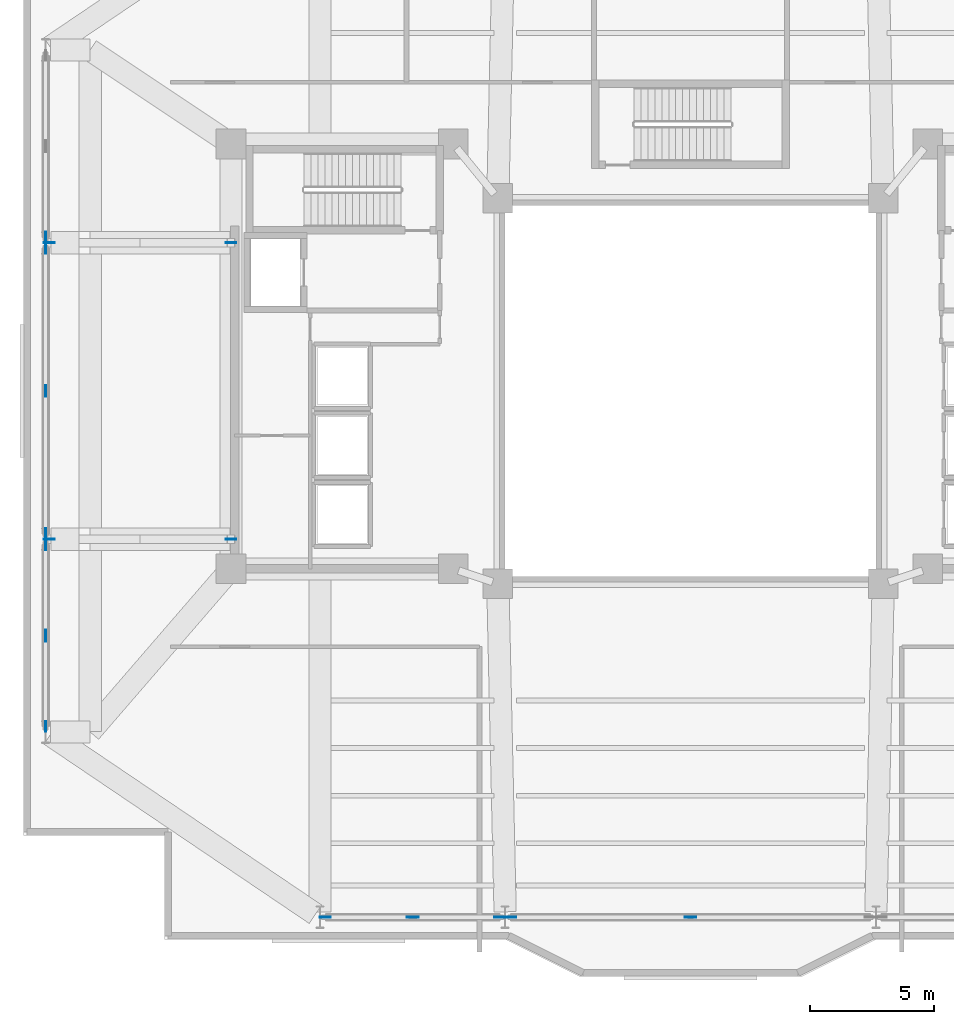
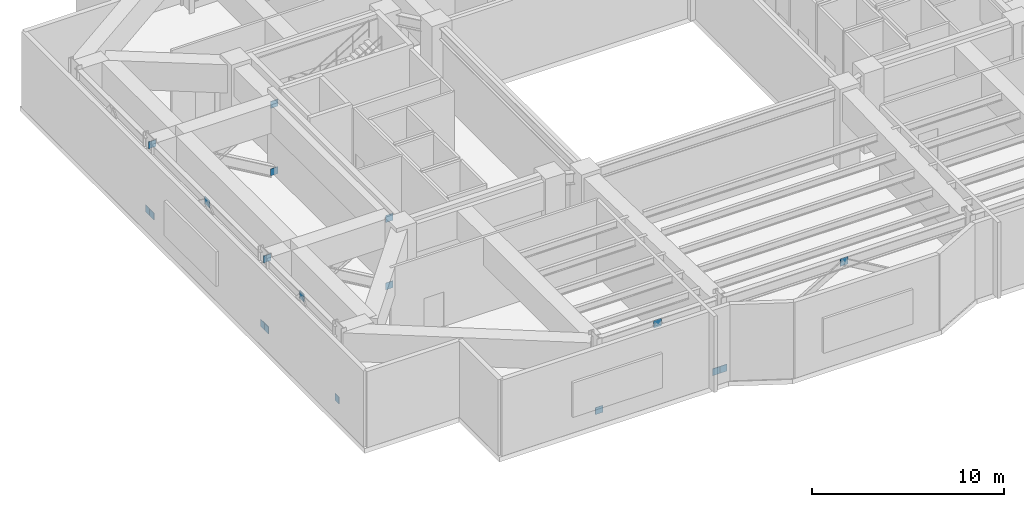
# One storey, part 4 of 13: 18 plates.
"""IFC4 building model written with IfcOpenShell, lengths in metres."""

import ifcopenshell
import ifcopenshell.guid

model = None  # the IFC model being written
_history = None  # IfcOwnerHistory: only IFC2X3 demands one
_inside = {}  # id of a spatial element -> (the spatial element, [elements in it])
_under = {}  # id of a project, library or spatial element -> (it, [spatial elements below it])
_declared = {}  # id of a project -> (the project, [libraries it declares])
_typed = {}  # id of a type object -> (the type object, [elements of that type])
_made_of = {}  # id of a material, layer set ... -> (it, [elements and type objects made of it])


def new_model(schema):
    """Start an empty IFC model of exactly this schema.

    Asked for "IFC4X3", IfcOpenShell would pick the latest addendum, in which some entities
    have other attributes; the version numbers below select the first issue.
    IFC2X3 requires an IfcOwnerHistory on every rooted entity: one is made here for all.
    """
    global model, _history
    if schema == "IFC4X3":
        model = ifcopenshell.file(schema_version=(4, 3, 0, 0))
    else:
        model = ifcopenshell.file(schema=schema)
    _inside.clear()
    _under.clear()
    _declared.clear()
    _typed.clear()
    _made_of.clear()
    _history = None
    if model.schema == "IFC2X3":
        org = make("IfcOrganization", Name="unknown")
        user = make(
            "IfcPersonAndOrganization",
            ThePerson=make("IfcPerson", FamilyName="unknown"),
            TheOrganization=org,
        )
        app = make(
            "IfcApplication",
            ApplicationDeveloper=org,
            Version="unknown",
            ApplicationFullName="unknown",
            ApplicationIdentifier="unknown",
        )
        _history = make(
            "IfcOwnerHistory",
            OwningUser=user,
            OwningApplication=app,
            ChangeAction="ADDED",
            CreationDate=0,
        )
    return model


def make(cls, **values):
    """One entity of the class cls with the attributes given. An attribute that is None is left unset."""
    return model.create_entity(
        cls, **{name: value for name, value in values.items() if value is not None}
    )


def rooted(cls, **values):
    """An entity with a GlobalId (a new one), such as an element, a storey or a relation."""
    return make(cls, GlobalId=ifcopenshell.guid.new(), OwnerHistory=_history, **values)


def si_unit(unit_type, name, prefix=None):
    """IfcSIUnit, for example si_unit("LENGTHUNIT", "METRE", prefix="MILLI")."""
    return make("IfcSIUnit", UnitType=unit_type, Prefix=prefix, Name=name)


def assignment(units):
    """IfcUnitAssignment: the units of a project."""
    return None if units is None else make("IfcUnitAssignment", Units=units)


def point(xyz):
    """IfcCartesianPoint."""
    return None if xyz is None else make("IfcCartesianPoint", Coordinates=xyz)


def direction(xyz):
    """IfcDirection."""
    return None if xyz is None else make("IfcDirection", DirectionRatios=xyz)


def frame(location, z_axis=None, x_axis=None):
    """IfcAxis2Placement3D, a coordinate frame: its origin and axes. An axis left out is left unset."""
    return make(
        "IfcAxis2Placement3D",
        Location=point(location),
        Axis=direction(z_axis),
        RefDirection=direction(x_axis),
    )


def frame_2d(location, x_axis=None):
    """IfcAxis2Placement2D, a coordinate frame in the plane: its origin and x axis."""
    return make(
        "IfcAxis2Placement2D", Location=point(location), RefDirection=direction(x_axis)
    )


def origin():
    """The frame at (0, 0, 0) with its axes left unset."""
    return frame((0.0, 0.0, 0.0))


def origin_2d():
    """The frame at (0, 0) in the plane with its x axis left unset."""
    return frame_2d((0.0, 0.0))


def place(relative_to, where):
    """IfcLocalPlacement: puts the frame where relative to a parent placement (None: the world)."""
    return make(
        "IfcLocalPlacement", PlacementRelTo=relative_to, RelativePlacement=where
    )


def context(
    kind, dimensions, precision=None, world=None, true_north=None, identifier=None
):
    """IfcGeometricRepresentationContext, for example the 3D "Model" context."""
    return make(
        "IfcGeometricRepresentationContext",
        ContextIdentifier=identifier,
        ContextType=kind,
        CoordinateSpaceDimension=dimensions,
        Precision=precision,
        WorldCoordinateSystem=world,
        TrueNorth=true_north,
    )


def subcontext(parent, identifier, kind, view, scale=None):
    """IfcGeometricRepresentationSubContext, for example "Body" below "Model"."""
    return make(
        "IfcGeometricRepresentationSubContext",
        ContextIdentifier=identifier,
        ContextType=kind,
        ParentContext=parent,
        TargetScale=scale,
        TargetView=view,
    )


def project(units=None, contexts=None):
    """IfcProject with its units and contexts."""
    return rooted(
        "IfcProject",
        Name="project",
        RepresentationContexts=contexts,
        UnitsInContext=assignment(units),
    )


def spatial(cls, under=None, at=None, **own):
    """A site, building, storey or space (cls), placed at a placement, below another one or the project."""
    s = rooted(cls, ObjectPlacement=at, **own)
    if under is not None:
        _under.setdefault(under.id(), (under, []))[1].append(s)
    return s


def profile(cls, at=None, kind="AREA", **sizes):
    """A parametric profile (cls). Its sizes go by their IFC names, for example OverallWidth=200.0."""
    return make(cls, ProfileType=kind, Position=at, **sizes)


def rectangle(**sizes):
    """IfcRectangleProfileDef."""
    return profile("IfcRectangleProfileDef", **sizes)


def extrude(swept, where, along, depth):
    """IfcExtrudedAreaSolid: the profile swept, set in the frame where, extruded along a direction by depth."""
    return make(
        "IfcExtrudedAreaSolid",
        SweptArea=swept,
        Position=where,
        ExtrudedDirection=direction(along),
        Depth=depth,
    )


def shape(context_of_items, identifier, shape_type, items):
    """IfcShapeRepresentation: the items that make up one representation, for example the "Body"."""
    return make(
        "IfcShapeRepresentation",
        ContextOfItems=context_of_items,
        RepresentationIdentifier=identifier,
        RepresentationType=shape_type,
        Items=items,
    )


def material(Name=None, Category=None):
    """IfcMaterial."""
    return make("IfcMaterial", Name=Name, Category=Category)


def layer(
    of_material, thickness, ventilated=None, Name=None, Category=None, Priority=None
):
    """IfcMaterialLayer: one layer of a wall or slab, of a material (None: an air gap)."""
    return make(
        "IfcMaterialLayer",
        Material=of_material,
        LayerThickness=thickness,
        IsVentilated=ventilated,
        Name=Name,
        Category=Category,
        Priority=Priority,
    )


def layer_set(layers, Name=None):
    """IfcMaterialLayerSet."""
    return make("IfcMaterialLayerSet", MaterialLayers=layers, LayerSetName=Name)


def made_of(thing, what):
    """Note that an element or type object is made of a material, layer set ...; save() writes the relation."""
    if what is not None:
        _made_of.setdefault(what.id(), (what, []))[1].append(thing)
    return thing


def type_object(cls, material=None, **own):
    """A type object (cls), such as IfcWallType, which elements share."""
    return made_of(rooted(cls, **own), material)


def element(
    cls,
    number,
    at=None,
    inside=None,
    cuts=None,
    type_object=None,
    material=None,
    context=None,
    identifier="Body",
    shape_type=None,
    held_by="IfcProductDefinitionShape",
    body=None,
    shapes=None,
    **own,
):
    """One element of the class cls, such as IfcWall. Its Tag is "e" and its number.

    at: its placement. inside: the storey or other place that contains it. cuts: it is an
    opening in that element (IfcRelVoidsElement). A single representation is given by context,
    identifier, shape_type and body (its items); several are given by shapes. held_by: the class
    of the entity that holds the representations. save() writes the other relations.
    """
    e = rooted(cls, Tag="e%d" % number, ObjectPlacement=at, **own)
    if body is not None:
        shapes = [shape(context, identifier, shape_type, body)]
    if shapes is not None:
        e.Representation = make(held_by, Representations=shapes)
    if inside is not None:
        _inside.setdefault(inside.id(), (inside, []))[1].append(e)
    if cuts is not None:
        rooted(
            "IfcRelVoidsElement", RelatingBuildingElement=cuts, RelatedOpeningElement=e
        )
    if type_object is not None:
        _typed.setdefault(type_object.id(), (type_object, []))[1].append(e)
    return made_of(e, material)


def aggregate(whole, parts):
    """IfcRelAggregates: a whole, such as a stair, and the parts it consists of."""
    return rooted("IfcRelAggregates", RelatingObject=whole, RelatedObjects=parts)


def save(model, path):
    """Write the relations noted so far, then the file.

    IfcRelAggregates (storeys below a building ...), IfcRelContainedInSpatialStructure (elements
    in a storey), IfcRelDefinesByType, IfcRelAssociatesMaterial and IfcRelDeclares: one each for
    every whole, place, type object, material and project.
    """
    for whole, parts in _under.values():
        aggregate(whole, parts)
    for where, things in _inside.values():
        rooted(
            "IfcRelContainedInSpatialStructure",
            RelatedElements=things,
            RelatingStructure=where,
        )
    for kind, things in _typed.values():
        rooted("IfcRelDefinesByType", RelatedObjects=things, RelatingType=kind)
    for what, things in _made_of.values():
        rooted("IfcRelAssociatesMaterial", RelatedObjects=things, RelatingMaterial=what)
    for by, libraries in _declared.values():
        rooted("IfcRelDeclares", RelatingContext=by, RelatedDefinitions=libraries)
    model.write(path)


model = new_model("IFC4")

# Units and contexts
model_context = context("Model", 3, precision=1e-05, world=origin(), true_north=direction((0.0, 1.0)))
body_context = subcontext(model_context, "Body", "Model", "MODEL_VIEW")
ifc_project = project(units=[si_unit("LENGTHUNIT", "METRE"), si_unit("AREAUNIT", "SQUARE_METRE"), si_unit("VOLUMEUNIT", "CUBIC_METRE"), si_unit("PLANEANGLEUNIT", "RADIAN"), si_unit("MASSUNIT", "GRAM", prefix="KILO")], contexts=[model_context])

# Site, building, storey
site_placement = place(None, origin())
site = spatial("IfcSite", under=ifc_project, at=site_placement, CompositionType="ELEMENT")
building_placement = place(site_placement, origin())
building = spatial("IfcBuilding", under=site, at=building_placement, Name="Tarnavaz Court Tower", CompositionType="ELEMENT")
storey_placement = place(building_placement, frame((0.0, 0.0, 127.5)))
storey = spatial("IfcBuildingStorey", under=building, at=storey_placement, Name="L34", CompositionType="ELEMENT", Elevation=127.5)

# Plates
ifc_material = material(Name="Steel S355", Category="steel")
ifc_layer = layer(ifc_material, 0.030029296875)
ifc_layer_set = layer_set([ifc_layer], Name="Steel S355")
plate_type = type_object("IfcPlateType", Name="PL-GUSSET-30", PredefinedType="USERDEFINED", material=ifc_layer_set)
for number, where, z_axis, x_axis, name in (
    (1, (-11.25, -21.300048828125, 4.260009765625), (0.0, 0.0, 1.0), (1.0, 0.0, 0.0), "L34 Belt Truss Apex Gusset & End-Cap Plate 04"),
    (2, (0.0, -21.300048828125, 4.260009765625), (0.0, 0.0, 1.0), (1.0, 0.0, 0.0), "L34 Belt Truss Apex Gusset & End-Cap Plate 05"),
    (3, (-26.10009765625, -9.89990234375, 4.260009765625), (0.0, 0.0, 1.0), (0.0, 1.0, 0.0), "L34 Belt Truss Apex Gusset & End-Cap Plate 10"),
    (4, (-26.10009765625, 0.0, 4.260009765625), (0.0, 0.0, 1.0), (0.0, 1.0, 0.0), "L34 Belt Truss Apex Gusset & End-Cap Plate 11"),
):
    element("IfcPlate", number, at=place(storey_placement, frame(where, z_axis=z_axis, x_axis=x_axis)), inside=storey, type_object=plate_type, Name=name, ObjectType="GUSSET PLATE", PredefinedType="USERDEFINED", context=body_context, shape_type="SweptSolid", body=[
        extrude(rectangle(XDim=0.47998046875, YDim=0.030029296875, at=origin_2d()), origin(), (0.0, 0.0, 1.0), 0.47998046875),
    ])
for number, where, z_axis, x_axis, name in (
    (5, (-14.780029296875, -21.300048828125, -0.02001953125), (0.0, 0.0, 1.0), (1.0, 0.0, 0.0), "L34 Structural Brace & Strut End Gusset Plate 043"),
    (6, (-7.719970703125, -21.300048828125, -0.02001953125), (0.0, 0.0, 1.0), (1.0, 0.0, 0.0), "L34 Structural Brace & Strut End Gusset Plate 044"),
    (7, (-7.280029296875, -21.300048828125, -0.02001953125), (0.0, 0.0, 1.0), (1.0, 0.0, 0.0), "L34 Structural Brace & Strut End Gusset Plate 045"),
    (8, (-26.10009765625, -13.580078125, -0.02001953125), (0.0, 0.0, 1.0), (0.0, 1.0, 0.0), "L34 Structural Brace & Strut End Gusset Plate 055"),
    (9, (-26.10009765625, -6.219970703125, -0.02001953125), (0.0, 0.0, 1.0), (0.0, 1.0, 0.0), "L34 Structural Brace & Strut End Gusset Plate 056"),
    (10, (-26.10009765625, -5.780029296875, -0.02001953125), (0.0, 0.0, 1.0), (0.0, 1.0, 0.0), "L34 Structural Brace & Strut End Gusset Plate 057"),
    (11, (-26.10009765625, 5.780029296875, -0.02001953125), (0.0, 0.0, 1.0), (0.0, 1.0, 0.0), "L34 Structural Brace & Strut End Gusset Plate 058"),
    (12, (-26.10009765625, 6.219970703125, -0.02001953125), (0.0, 0.0, 1.0), (0.0, 1.0, 0.0), "L34 Structural Brace & Strut End Gusset Plate 059"),
    (13, (-18.60009765625, -6.0, -0.02001953125), (0.0, 0.0, 1.0), (1.0, 0.0, 0.0), "L34 Structural Brace & Strut End Gusset Plate 067"),
    (14, (-25.9599609375, -6.0, 4.280029296875), (0.0, 0.0, 1.0), (1.0, 0.0, 0.0), "L34 Structural Brace & Strut End Gusset Plate 068"),
    (15, (-18.60009765625, -6.0, 4.280029296875), (0.0, 0.0, 1.0), (1.0, 0.0, 0.0), "L34 Structural Brace & Strut End Gusset Plate 069"),
    (16, (-18.60009765625, 6.0, -0.02001953125), (0.0, 0.0, 1.0), (1.0, 0.0, 0.0), "L34 Structural Brace & Strut End Gusset Plate 070"),
    (17, (-25.9599609375, 6.0, 4.280029296875), (0.0, 0.0, 1.0), (1.0, 0.0, 0.0), "L34 Structural Brace & Strut End Gusset Plate 071"),
    (18, (-18.60009765625, 6.0, 4.280029296875), (0.0, 0.0, 1.0), (1.0, 0.0, 0.0), "L34 Structural Brace & Strut End Gusset Plate 072"),
):
    element("IfcPlate", number, at=place(storey_placement, frame(where, z_axis=z_axis, x_axis=x_axis)), inside=storey, type_object=plate_type, Name=name, ObjectType="GUSSET PLATE", PredefinedType="USERDEFINED", context=body_context, shape_type="SweptSolid", body=[
        extrude(rectangle(XDim=0.43994140625, YDim=0.030029296875, at=origin_2d()), origin(), (0.0, 0.0, 1.0), 0.43994140625),
    ])

save(model, "model.ifc")
